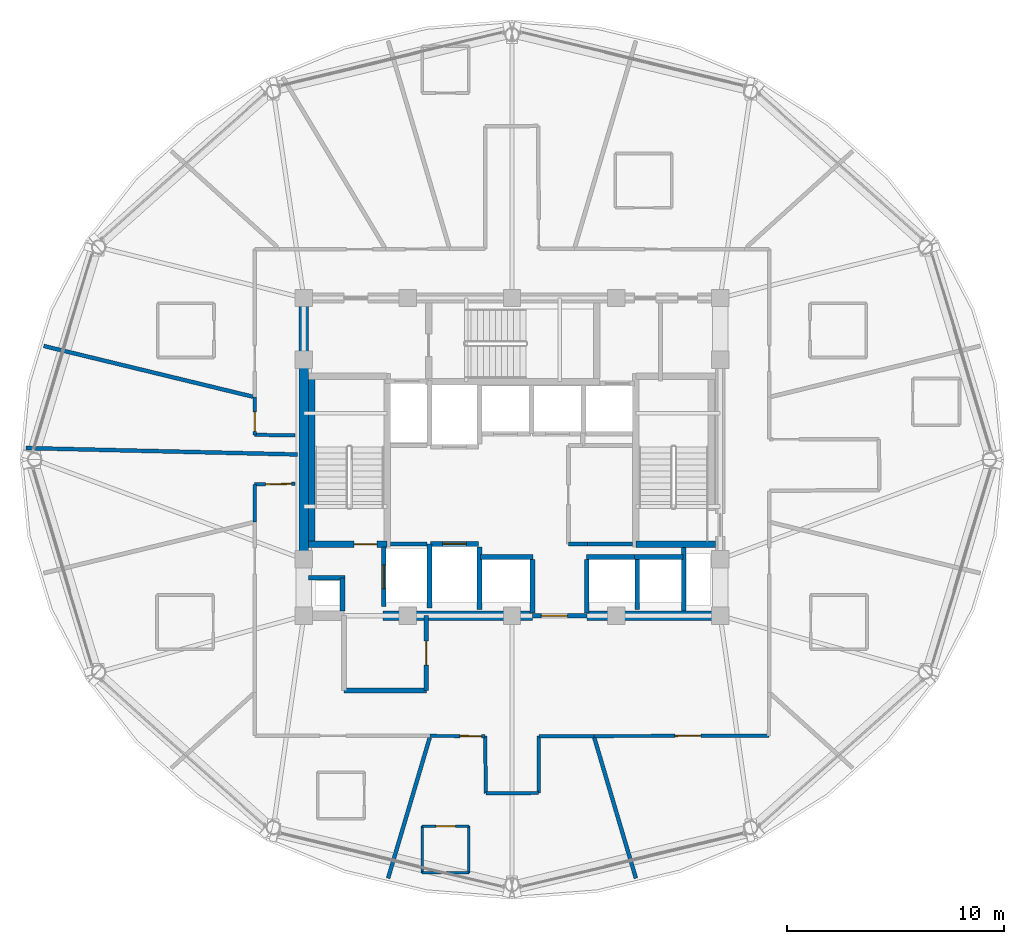
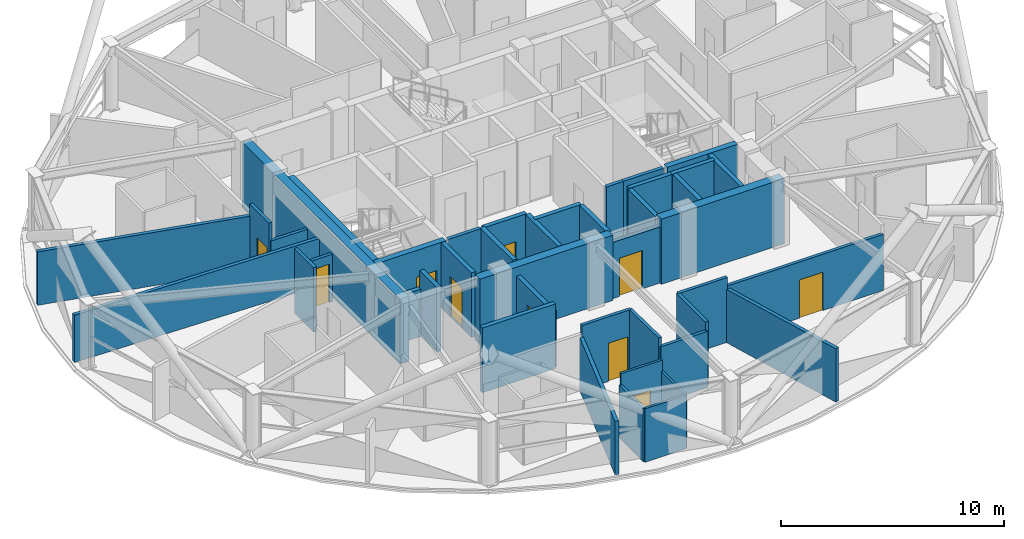
# One storey, part 22 of 29: 43 walls, 10 doors, 10 openings.
"""IFC4 building model written with IfcOpenShell, lengths in metres."""

from ifc_helpers import new_model, si_unit, direction, frame, frame_2d, origin, place, context, subcontext, project, spatial, rectangle, extrude, material, layer, layer_set, type_object, element, fill, save


model = new_model("IFC4")

# Units and contexts
model_context = context("Model", 3, precision=1e-05, world=origin(), true_north=direction((0.0, 1.0)))
body_context = subcontext(model_context, "Body", "Model", "MODEL_VIEW")
ifc_project = project(units=[si_unit("LENGTHUNIT", "METRE"), si_unit("AREAUNIT", "SQUARE_METRE"), si_unit("VOLUMEUNIT", "CUBIC_METRE"), si_unit("PLANEANGLEUNIT", "RADIAN"), si_unit("MASSUNIT", "GRAM", prefix="KILO")], contexts=[model_context])

# Site, building, storey
site_placement = place(None, origin())
site = spatial("IfcSite", under=ifc_project, at=site_placement, CompositionType="ELEMENT")
building_placement = place(site_placement, origin())
building = spatial("IfcBuilding", under=site, at=building_placement, Name="Vantalir Tower", CompositionType="ELEMENT")
storey_placement = place(building_placement, frame((0.0, 0.0, 219.89990234375)))
storey = spatial("IfcBuildingStorey", under=building, at=storey_placement, Name="L55", CompositionType="ELEMENT", Elevation=219.89990234375)

# Wall
ifc_material_1 = material(Name="Moisture-resistant en-suite partition", Category="gypsum")
ifc_layer_1 = layer(ifc_material_1, 0.125)
ifc_layer_set_1 = layer_set([ifc_layer_1], Name="Moisture-resistant en-suite partition")
wall_type_1 = type_object("IfcWallType", Name="WL-BATH-125", PredefinedType="PARTITIONING", material=ifc_layer_set_1)
wall_1_placement = place(storey_placement, frame((27.360107421875, 5.943115234375, 0.0), z_axis=(0.0, 0.0, 1.0), x_axis=(1.0, 0.0, 0.0)))
element("IfcWall", 1, at=wall_1_placement, inside=storey, type_object=wall_type_1, Name="L55 En-suite 11 South Wall", PredefinedType="PARTITIONING", context=body_context, shape_type="SweptSolid", body=[
    extrude(rectangle(XDim=2.14990234375, YDim=0.125, at=frame_2d((1.074951171875, 0.0))), origin(), (0.0, 0.0, 1.0), 2.925048828125),
])

# Wall, opening, door
wall_2_placement = place(storey_placement, frame((27.360107421875, 8.093017578125, 0.0), z_axis=(0.0, 0.0, 1.0), x_axis=(1.0, 0.0, 0.0)))
wall_2 = element("IfcWall", 2, at=wall_2_placement, inside=storey, type_object=wall_type_1, Name="L55 En-suite 11 North Wall", PredefinedType="PARTITIONING", context=body_context, shape_type="SweptSolid", body=[
    extrude(rectangle(XDim=2.14990234375, YDim=0.125, at=frame_2d((1.074951171875, 0.0))), origin(), (0.0, 0.0, 1.0), 3.550048828125),
])
opening_1_placement = place(wall_2_placement, frame((0.625, 0.0, 0.0)))
opening_1 = element("IfcOpeningElement", 3, at=opening_1_placement, cuts=wall_2, Name="Opening D-WC", PredefinedType="OPENING", context=body_context, shape_type="SweptSolid", body=[
    extrude(rectangle(XDim=0.89990234375, YDim=2.10009765625, at=frame_2d((0.449951171875, 1.050048828125))), frame((0.0, 0.072509765625, 0.0), z_axis=(0.0, -1.0, 0.0), x_axis=(1.0, 0.0, 0.0)), (0.0, 0.0, 1.0), 0.14501953125),
])
ifc_material_2 = material(Name="Moisture-resistant hardwood door", Category="wood")
door_type_1 = type_object("IfcDoorType", Name="DR-ENSUITE-900", OperationType="NOTDEFINED", PredefinedType="DOOR", material=ifc_material_2)
door_1_placement = place(opening_1_placement, frame((0.89990234375, 0.0, 0.0), z_axis=(0.0, 0.0, 1.0), x_axis=(-1.0, 0.0, 0.0)))
door_1 = element("IfcDoor", 4, at=door_1_placement, inside=storey, type_object=door_type_1, Name="L55 En-suite 11 Door", OperationType="SINGLE_SWING_LEFT", OverallHeight=2.10009765625, OverallWidth=0.89990234375, PredefinedType="DOOR", context=body_context, shape_type="SweptSolid", body=[
    extrude(rectangle(XDim=0.89990234375, YDim=2.10009765625, at=frame_2d((0.449951171875, 1.050048828125))), frame((0.0, 0.02490234375, 0.0), z_axis=(0.0, -1.0, 0.0), x_axis=(1.0, 0.0, 0.0)), (0.0, 0.0, 1.0), 0.050048828125),
])
fill(opening_1, door_1)

# Walls
for number, where, z_axis, x_axis, name in (
    (5, (27.360107421875, 5.943115234375, 0.0), (0.0, 0.0, 1.0), (0.0, 1.0, 0.0), "L55 En-suite 11 West Wall"),
    (6, (29.510009765625, 5.943115234375, 0.0), (0.0, 0.0, 1.0), (0.0, 1.0, 0.0), "L55 En-suite 11 East Wall"),
):
    element("IfcWall", number, at=place(storey_placement, frame(where, z_axis=z_axis, x_axis=x_axis)), inside=storey, type_object=wall_type_1, Name=name, PredefinedType="PARTITIONING", context=body_context, shape_type="SweptSolid", body=[
        extrude(rectangle(XDim=2.14990234375, YDim=0.125, at=frame_2d((1.074951171875, 0.0))), origin(), (0.0, 0.0, 1.0), 2.925048828125),
    ])
ifc_material_3 = material(Name="Concrete C50/60", Category="concrete")
ifc_layer_2 = layer(ifc_material_3, 0.449951171875)
ifc_layer_set_2 = layer_set([ifc_layer_2], Name="Concrete C50/60")
wall_type_2 = type_object("IfcWallType", Name="WL-CORE-450", PredefinedType="SHEAR", material=ifc_layer_set_2)
wall_3_placement = place(storey_placement, frame((25.550048828125, 17.800048828125, 0.0), z_axis=(0.0, 0.0, 1.0), x_axis=(1.0, 0.0, 0.0)))
element("IfcWall", 7, at=wall_3_placement, inside=storey, type_object=wall_type_2, Name="L55 Core Shear Wall South-Mid", PredefinedType="SHEAR", context=body_context, shape_type="SweptSolid", body=[
    extrude(rectangle(XDim=6.89990234375, YDim=0.449951171875, at=frame_2d((3.449951171875, 0.0))), origin(), (0.0, 0.0, 1.0), 3.570068359375),
])
wall_4_placement = place(storey_placement, frame((34.949951171875, 17.800048828125, 0.0), z_axis=(0.0, 0.0, 1.0), x_axis=(1.0, 0.0, 0.0)))
element("IfcWall", 8, at=wall_4_placement, inside=storey, type_object=wall_type_2, Name="L55 Core Shear Wall South-East", PredefinedType="SHEAR", context=body_context, shape_type="SweptSolid", body=[
    extrude(rectangle(XDim=6.375, YDim=0.449951171875, at=frame_2d((3.1875, 0.0))), origin(), (0.0, 0.0, 1.0), 3.570068359375),
])
wall_5_placement = place(storey_placement, frame((21.89990234375, 18.02490234375, 0.0), z_axis=(0.0, 0.0, 1.0), x_axis=(0.0, 1.0, 0.0)))
element("IfcWall", 9, at=wall_5_placement, inside=storey, type_object=wall_type_2, Name="L55 Core Shear Wall West", PredefinedType="SHEAR", context=body_context, shape_type="SweptSolid", body=[
    extrude(rectangle(XDim=14.2001953125, YDim=0.449951171875, at=frame_2d((7.10009765625, 0.0))), origin(), (0.0, 0.0, 1.0), 3.570068359375),
])
ifc_material_4 = material(Name="Fire-rated hotel corridor acoustic partition", Category="gypsum")
ifc_layer_3 = layer(ifc_material_4, 0.159912109375)
ifc_layer_set_3 = layer_set([ifc_layer_3], Name="Fire-rated hotel corridor acoustic partition")
wall_type_3 = type_object("IfcWallType", Name="WL-CORR-160", PredefinedType="PARTITIONING", material=ifc_layer_set_3)
wall_6_placement = place(storey_placement, frame((21.4951171875, 26.116943359375, 0.0), z_axis=(0.0, 0.0, 1.0), x_axis=(-0.999908537082, 0.013524698532, 0.0)))
element("IfcWall", 10, at=wall_6_placement, inside=storey, type_object=wall_type_3, Name="L55 Corridor Partition 01", PredefinedType="PARTITIONING", context=body_context, shape_type="SweptSolid", body=[
    extrude(rectangle(XDim=1.859375, YDim=0.159912109375, at=frame_2d((0.9296875, 0.0))), origin(), (0.0, 0.0, 1.0), 2.59521484375),
])

# Wall, opening, door
wall_7_placement = place(storey_placement, frame((19.635986328125, 26.14208984375, 0.0), z_axis=(0.0, 0.0, 1.0), x_axis=(0.000562587815, 0.999999841747, 0.0)))
wall_7 = element("IfcWall", 11, at=wall_7_placement, inside=storey, type_object=wall_type_3, Name="L55 Corridor Partition 02", PredefinedType="PARTITIONING", context=body_context, shape_type="SweptSolid", body=[
    extrude(rectangle(XDim=1.73583984375, YDim=0.159912109375, at=frame_2d((0.867919921875, 0.0))), origin(), (0.0, 0.0, 1.0), 3.550048828125),
])
opening_2_placement = place(wall_7_placement, frame((0.159912109375, 0.0, 0.0)))
opening_2 = element("IfcOpeningElement", 12, at=opening_2_placement, cuts=wall_7, Name="Opening D-WC", PredefinedType="OPENING", context=body_context, shape_type="SweptSolid", body=[
    extrude(rectangle(XDim=0.89990234375, YDim=2.10009765625, at=frame_2d((0.449951171875, 1.050048828125))), frame((0.0, 0.08984375, 0.0), z_axis=(0.0, -1.0, 0.0), x_axis=(1.0, 0.0, 0.0)), (0.0, 0.0, 1.0), 0.179931640625),
])
door_2_placement = place(opening_2_placement, origin())
door_2 = element("IfcDoor", 13, at=door_2_placement, inside=storey, type_object=door_type_1, Name="L55 Executive Business Study 07 Door", OperationType="SINGLE_SWING_LEFT", OverallHeight=2.10009765625, OverallWidth=0.89990234375, PredefinedType="DOOR", context=body_context, shape_type="SweptSolid", body=[
    extrude(rectangle(XDim=0.89990234375, YDim=2.10009765625, at=frame_2d((0.449951171875, 1.050048828125))), frame((0.0, 0.02490234375, 0.0), z_axis=(0.0, -1.0, 0.0), x_axis=(1.0, 0.0, 0.0)), (0.0, 0.0, 1.0), 0.050048828125),
])
fill(opening_2, door_2)

wall_8_placement = place(storey_placement, frame((43.35009765625, 12.259033203125, 0.0), z_axis=(0.0, 0.0, 1.0), x_axis=(-0.999999615917, -0.00087645034, 0.0)))
wall_8 = element("IfcWall", 14, at=wall_8_placement, inside=storey, type_object=wall_type_3, Name="L55 Corridor Partition 22", PredefinedType="PARTITIONING", context=body_context, shape_type="SweptSolid", body=[
    extrude(rectangle(XDim=8.078125, YDim=0.159912109375, at=frame_2d((4.0390625, 0.0))), origin(), (0.0, 0.0, 1.0), 3.0810546875),
])
opening_3_placement = place(wall_8_placement, frame((3.14111328125, 0.0, 0.0)))
opening_3 = element("IfcOpeningElement", 15, at=opening_3_placement, cuts=wall_8, Name="Opening D-STE", PredefinedType="OPENING", context=body_context, shape_type="SweptSolid", body=[
    extrude(rectangle(XDim=1.199951171875, YDim=2.10009765625, at=frame_2d((0.60009765625, 1.050048828125))), frame((0.0, 0.08984375, 0.0), z_axis=(0.0, -1.0, 0.0), x_axis=(1.0, 0.0, 0.0)), (0.0, 0.0, 1.0), 0.179931640625),
])
ifc_material_5 = material(Name="Solid-core teak veneer suite entrance door", Category="wood")
door_type_2 = type_object("IfcDoorType", Name="DR-SUITE-ENTRY-1200", OperationType="NOTDEFINED", PredefinedType="DOOR", material=ifc_material_5)
door_3_placement = place(opening_3_placement, origin())
door_3 = element("IfcDoor", 16, at=door_3_placement, inside=storey, type_object=door_type_2, Name="L55 Club Reading Lounge 12 Door", OperationType="SINGLE_SWING_RIGHT", OverallHeight=2.10009765625, OverallWidth=1.199951171875, PredefinedType="DOOR", context=body_context, shape_type="SweptSolid", body=[
    extrude(rectangle(XDim=1.199951171875, YDim=2.10009765625, at=frame_2d((0.60009765625, 1.050048828125))), frame((0.0, 0.02490234375, 0.0), z_axis=(0.0, -1.0, 0.0), x_axis=(1.0, 0.0, 0.0)), (0.0, 0.0, 1.0), 0.050048828125),
])
fill(opening_3, door_3)

# Walls
wall_9_placement = place(storey_placement, frame((35.27197265625, 12.251953125, 0.0), z_axis=(0.0, 0.0, 1.0), x_axis=(-0.999999702485, -0.000771381508, 0.0)))
element("IfcWall", 17, at=wall_9_placement, inside=storey, type_object=wall_type_3, Name="L55 Corridor Partition 23", PredefinedType="PARTITIONING", context=body_context, shape_type="SweptSolid", body=[
    extrude(rectangle(XDim=2.531982421875, YDim=0.159912109375, at=frame_2d((1.26611328125, 0.0))), origin(), (0.0, 0.0, 1.0), 3.550048828125),
])
wall_10_placement = place(storey_placement, frame((32.739990234375, 12.25, 0.0), z_axis=(0.0, 0.0, 1.0), x_axis=(-0.004558940342, -0.999989607977, 0.0)))
element("IfcWall", 18, at=wall_10_placement, inside=storey, type_object=wall_type_3, Name="L55 Corridor Partition 24", PredefinedType="PARTITIONING", context=body_context, shape_type="SweptSolid", body=[
    extrude(rectangle(XDim=2.6240234375, YDim=0.159912109375, at=frame_2d((1.31201171875, 0.0))), origin(), (0.0, 0.0, 1.0), 3.550048828125),
])
wall_11_placement = place(storey_placement, frame((32.72802734375, 9.6259765625, 0.0), z_axis=(0.0, 0.0, 1.0), x_axis=(-0.999987903459, -0.004918631527, 0.0)))
element("IfcWall", 19, at=wall_11_placement, inside=storey, type_object=wall_type_3, Name="L55 Corridor Partition 25", PredefinedType="PARTITIONING", context=body_context, shape_type="SweptSolid", body=[
    extrude(rectangle(XDim=2.43212890625, YDim=0.159912109375, at=frame_2d((1.216064453125, 0.0))), origin(), (0.0, 0.0, 1.0), 3.0810546875),
])
wall_12_placement = place(storey_placement, frame((30.2958984375, 9.614013671875, 0.0), z_axis=(0.0, 0.0, 1.0), x_axis=(-0.013613631337, 0.999907330227, 0.0)))
element("IfcWall", 20, at=wall_12_placement, inside=storey, type_object=wall_type_3, Name="L55 Corridor Partition 26", PredefinedType="PARTITIONING", context=body_context, shape_type="SweptSolid", body=[
    extrude(rectangle(XDim=2.63623046875, YDim=0.159912109375, at=frame_2d((1.318115234375, 0.0))), origin(), (0.0, 0.0, 1.0), 3.550048828125),
])

# Wall, opening, door
wall_13_placement = place(storey_placement, frame((30.260009765625, 12.25, 0.0), z_axis=(0.0, 0.0, 1.0), x_axis=(-0.999998140537, 0.001928450758, 0.0)))
wall_13 = element("IfcWall", 21, at=wall_13_placement, inside=storey, type_object=wall_type_3, Name="L55 Corridor Partition 27", PredefinedType="PARTITIONING", context=body_context, shape_type="SweptSolid", body=[
    extrude(rectangle(XDim=2.531982421875, YDim=0.159912109375, at=frame_2d((1.26611328125, 0.0))), origin(), (0.0, 0.0, 1.0), 3.550048828125),
])
opening_4_placement = place(wall_13_placement, frame((0.159912109375, 0.0, 0.0)))
opening_4 = element("IfcOpeningElement", 22, at=opening_4_placement, cuts=wall_13, Name="Opening D-GUEST", PredefinedType="OPENING", context=body_context, shape_type="SweptSolid", body=[
    extrude(rectangle(XDim=1.0, YDim=2.10009765625, at=frame_2d((0.5, 1.050048828125))), frame((0.0, 0.08984375, 0.0), z_axis=(0.0, -1.0, 0.0), x_axis=(1.0, 0.0, 0.0)), (0.0, 0.0, 1.0), 0.179931640625),
])
ifc_material_6 = material(Name="Solid-core teak veneer acoustic fire door", Category="wood")
door_type_3 = type_object("IfcDoorType", Name="DR-GUEST-ENTRY-1000", OperationType="NOTDEFINED", PredefinedType="DOOR", material=ifc_material_6)
door_4_placement = place(opening_4_placement, origin())
door_4 = element("IfcDoor", 23, at=door_4_placement, inside=storey, type_object=door_type_3, Name="L55 Twin Queen Hotel Room 11 Door", OperationType="SINGLE_SWING_LEFT", OverallHeight=2.10009765625, OverallWidth=1.0, PredefinedType="DOOR", context=body_context, shape_type="SweptSolid", body=[
    extrude(rectangle(XDim=1.0, YDim=2.10009765625, at=frame_2d((0.5, 1.050048828125))), frame((0.0, 0.02490234375, 0.0), z_axis=(0.0, -1.0, 0.0), x_axis=(1.0, 0.0, 0.0)), (0.0, 0.0, 1.0), 0.050048828125),
])
fill(opening_4, door_4)

# Wall
wall_14_placement = place(storey_placement, frame((19.635986328125, 22.12109375, 0.0), z_axis=(0.0, 0.0, 1.0), x_axis=(-0.000563538936, 0.999999841212, 0.0)))
element("IfcWall", 24, at=wall_14_placement, inside=storey, type_object=wall_type_3, Name="L55 Corridor Partition 31", PredefinedType="PARTITIONING", context=body_context, shape_type="SweptSolid", body=[
    extrude(rectangle(XDim=1.73291015625, YDim=0.159912109375, at=frame_2d((0.866455078125, 0.0))), origin(), (0.0, 0.0, 1.0), 3.550048828125),
])

# Wall, opening, door
wall_15_placement = place(storey_placement, frame((19.635009765625, 23.85400390625, 0.0), z_axis=(0.0, 0.0, 1.0), x_axis=(0.999886107392, 0.015092125259, 0.0)))
wall_15 = element("IfcWall", 25, at=wall_15_placement, inside=storey, type_object=wall_type_3, Name="L55 Corridor Partition 32", PredefinedType="PARTITIONING", context=body_context, shape_type="SweptSolid", body=[
    extrude(rectangle(XDim=1.8603515625, YDim=0.159912109375, at=frame_2d((0.93017578125, 0.0))), origin(), (0.0, 0.0, 1.0), 2.59521484375),
])
opening_5_placement = place(wall_15_placement, frame((0.5, 0.0, 0.0)))
opening_5 = element("IfcOpeningElement", 26, at=opening_5_placement, cuts=wall_15, Name="Opening D-STE", PredefinedType="OPENING", context=body_context, shape_type="SweptSolid", body=[
    extrude(rectangle(XDim=1.199951171875, YDim=2.10009765625, at=frame_2d((0.60009765625, 1.050048828125))), frame((0.0, 0.08984375, 0.0), z_axis=(0.0, -1.0, 0.0), x_axis=(1.0, 0.0, 0.0)), (0.0, 0.0, 1.0), 0.179931640625),
])
door_5_placement = place(opening_5_placement, origin())
door_5 = element("IfcDoor", 27, at=door_5_placement, inside=storey, type_object=door_type_2, Name="L55 Club Reading Lounge 08 Door", OperationType="SINGLE_SWING_RIGHT", OverallHeight=2.10009765625, OverallWidth=1.199951171875, PredefinedType="DOOR", context=body_context, shape_type="SweptSolid", body=[
    extrude(rectangle(XDim=1.199951171875, YDim=2.10009765625, at=frame_2d((0.60009765625, 1.050048828125))), frame((0.0, 0.02490234375, 0.0), z_axis=(0.0, -1.0, 0.0), x_axis=(1.0, 0.0, 0.0)), (0.0, 0.0, 1.0), 0.050048828125),
])
fill(opening_5, door_5)

# Walls
ifc_material_7 = material(Name="Concrete blockwork with fireboard lining", Category="masonry")
ifc_layer_4 = layer(ifc_material_7, 0.219970703125)
ifc_layer_set_4 = layer_set([ifc_layer_4], Name="Concrete blockwork with fireboard lining")
wall_type_4 = type_object("IfcWallType", Name="WL-FFL-220", PredefinedType="PARTITIONING", material=ifc_layer_set_4)
wall_16_placement = place(storey_placement, frame((30.0, 18.080078125, 0.0), z_axis=(0.0, 0.0, 1.0), x_axis=(0.0, 1.0, 0.0)))
element("IfcWall", 28, at=wall_16_placement, inside=storey, type_object=wall_type_4, Name="L55 Service Lift SV1 East Shaft Wall", PredefinedType="PARTITIONING", context=body_context, shape_type="SweptSolid", body=[
    extrude(rectangle(XDim=2.89990234375, YDim=0.219970703125, at=frame_2d((1.449951171875, 0.0))), origin(), (0.0, 0.0, 1.0), 3.545166015625),
])
for number, where, z_axis, x_axis, name in (
    (29, (32.449951171875, 17.919921875, 0.0), (0.0, 0.0, 1.0), (0.0, 1.0, 0.0), "L55 Shuttle Lift PL-X1 East Shaft Cheek"),
    (30, (34.949951171875, 17.919921875, 0.0), (0.0, 0.0, 1.0), (0.0, 1.0, 0.0), "L55 Shuttle Lift PL-X3 West Shaft Cheek"),
):
    element("IfcWall", number, at=place(storey_placement, frame(where, z_axis=z_axis, x_axis=x_axis)), inside=storey, type_object=wall_type_4, Name=name, PredefinedType="PARTITIONING", context=body_context, shape_type="SweptSolid", body=[
        extrude(rectangle(XDim=2.469970703125, YDim=0.219970703125, at=frame_2d((1.23486328125, 0.0))), origin(), (0.0, 0.0, 1.0), 3.545166015625),
    ])
wall_17_placement = place(storey_placement, frame((37.27490234375, 18.080078125, 0.0), z_axis=(0.0, 0.0, 1.0), x_axis=(0.0, 1.0, 0.0)))
element("IfcWall", 31, at=wall_17_placement, inside=storey, type_object=wall_type_4, Name="L55 Shuttle Lift PL-X2/X3 Shaft Divider", PredefinedType="PARTITIONING", context=body_context, shape_type="SweptSolid", body=[
    extrude(rectangle(XDim=2.309814453125, YDim=0.219970703125, at=frame_2d((1.15478515625, 0.0))), origin(), (0.0, 0.0, 1.0), 3.545166015625),
])

# Wall, opening, door
wall_18_placement = place(storey_placement, frame((32.449951171875, 17.800048828125, 0.0), z_axis=(0.0, 0.0, 1.0), x_axis=(1.0, 0.0, 0.0)))
wall_18 = element("IfcWall", 32, at=wall_18_placement, inside=storey, type_object=wall_type_4, Name="L55 Passenger Lift Lobby South Wall", PredefinedType="PARTITIONING", context=body_context, shape_type="SweptSolid", body=[
    extrude(rectangle(XDim=2.5, YDim=0.219970703125, at=frame_2d((1.25, 0.0))), origin(), (0.0, 0.0, 1.0), 3.0810546875),
])
opening_6_placement = place(wall_18_placement, frame((0.39990234375, 0.0, 0.0)))
opening_6 = element("IfcOpeningElement", 33, at=opening_6_placement, cuts=wall_18, Name="Opening D-STE", PredefinedType="OPENING", context=body_context, shape_type="SweptSolid", body=[
    extrude(rectangle(XDim=1.199951171875, YDim=2.10009765625, at=frame_2d((0.60009765625, 1.050048828125))), frame((0.0, 0.119873046875, 0.0), z_axis=(0.0, -1.0, 0.0), x_axis=(1.0, 0.0, 0.0)), (0.0, 0.0, 1.0), 0.239990234375),
])
door_6_placement = place(opening_6_placement, origin())
door_6 = element("IfcDoor", 34, at=door_6_placement, inside=storey, type_object=door_type_2, Name="L55 Passenger Lift Lobby Concourse Door", OperationType="SINGLE_SWING_RIGHT", OverallHeight=2.10009765625, OverallWidth=1.199951171875, PredefinedType="DOOR", context=body_context, shape_type="SweptSolid", body=[
    extrude(rectangle(XDim=1.199951171875, YDim=2.10009765625, at=frame_2d((0.60009765625, 1.050048828125))), frame((0.0, 0.02490234375, 0.0), z_axis=(0.0, -1.0, 0.0), x_axis=(1.0, 0.0, 0.0)), (0.0, 0.0, 1.0), 0.050048828125),
])
fill(opening_6, door_6)

# Walls
wall_19_placement = place(storey_placement, frame((23.679931640625, 18.02490234375, 0.0), z_axis=(0.0, 0.0, 1.0), x_axis=(0.0, 1.0, 0.0)))
element("IfcWall", 35, at=wall_19_placement, inside=storey, type_object=wall_type_4, Name="L55 West MEP Riser Wall E", PredefinedType="PARTITIONING", context=body_context, shape_type="SweptSolid", body=[
    extrude(rectangle(XDim=1.525146484375, YDim=0.219970703125, at=frame_2d((0.7626953125, 0.0))), origin(), (0.0, 0.0, 1.0), 3.550048828125),
])
wall_20_placement = place(storey_placement, frame((22.125, 19.550048828125, 0.0), z_axis=(0.0, 0.0, 1.0), x_axis=(1.0, 0.0, 0.0)))
element("IfcWall", 36, at=wall_20_placement, inside=storey, type_object=wall_type_4, Name="L55 West MEP Riser Wall N", PredefinedType="PARTITIONING", context=body_context, shape_type="SweptSolid", body=[
    extrude(rectangle(XDim=1.6650390625, YDim=0.219970703125, at=frame_2d((0.83251953125, 0.0))), origin(), (0.0, 0.0, 1.0), 2.59521484375),
])
wall_21_placement = place(storey_placement, frame((39.419921875, 18.02490234375, 0.0), z_axis=(0.0, 0.0, 1.0), x_axis=(0.0, 1.0, 0.0)))
element("IfcWall", 37, at=wall_21_placement, inside=storey, type_object=wall_type_4, Name="L55 East MEP Riser Wall W", PredefinedType="PARTITIONING", context=body_context, shape_type="SweptSolid", body=[
    extrude(rectangle(XDim=2.925048828125, YDim=0.219970703125, at=frame_2d((1.46240234375, 0.0))), origin(), (0.0, 0.0, 1.0), 3.550048828125),
])

# Wall, opening, door
wall_22_placement = place(storey_placement, frame((25.590087890625, 18.219970703125, 0.0), z_axis=(0.0, 0.0, 1.0), x_axis=(0.0, 1.0, 0.0)))
wall_22 = element("IfcWall", 38, at=wall_22_placement, inside=storey, type_object=wall_type_4, Name="L55 Lift FL1 Shaft Front Wall", PredefinedType="PARTITIONING", context=body_context, shape_type="SweptSolid", body=[
    extrude(rectangle(XDim=2.760009765625, YDim=0.219970703125, at=frame_2d((1.3798828125, 0.0))), origin(), (0.0, 0.0, 1.0), 3.550048828125),
])
opening_7_placement = place(wall_22_placement, frame((0.830078125, 0.0, 0.0)))
opening_7 = element("IfcOpeningElement", 39, at=opening_7_placement, cuts=wall_22, Name="Opening LD-FL1", PredefinedType="OPENING", context=body_context, shape_type="SweptSolid", body=[
    extrude(rectangle(XDim=1.10009765625, YDim=2.199951171875, at=frame_2d((0.550048828125, 1.10009765625))), frame((0.0, 0.119873046875, 0.0), z_axis=(0.0, -1.0, 0.0), x_axis=(1.0, 0.0, 0.0)), (0.0, 0.0, 1.0), 0.239990234375),
])
ifc_material_8 = material(Name="Brushed stainless-steel sliding lift landing door", Category="steel")
door_type_4 = type_object("IfcDoorType", Name="DR-LIFT-LANDING-1100", OperationType="DOUBLE_DOOR_SLIDING", PredefinedType="DOOR", material=ifc_material_8)
door_7_placement = place(opening_7_placement, origin())
door_7 = element("IfcDoor", 40, at=door_7_placement, inside=storey, type_object=door_type_4, Name="L55 Lift Landing Door FL1", OperationType="DOUBLE_DOOR_SLIDING", OverallHeight=2.199951171875, OverallWidth=1.10009765625, PredefinedType="DOOR", context=body_context, shape_type="SweptSolid", body=[
    extrude(rectangle(XDim=1.10009765625, YDim=2.199951171875, at=frame_2d((0.550048828125, 1.10009765625))), frame((0.0, 0.02490234375, 0.0), z_axis=(0.0, -1.0, 0.0), x_axis=(1.0, 0.0, 0.0)), (0.0, 0.0, 1.0), 0.050048828125),
])
fill(opening_7, door_7)

wall_23_placement = place(storey_placement, frame((27.739990234375, 21.110107421875, 0.0), z_axis=(0.0, 0.0, 1.0), x_axis=(1.0, 0.0, 0.0)))
wall_23 = element("IfcWall", 41, at=wall_23_placement, inside=storey, type_object=wall_type_4, Name="L55 Lift SV1 Shaft Front Wall", PredefinedType="PARTITIONING", context=body_context, shape_type="SweptSolid", body=[
    extrude(rectangle(XDim=2.219970703125, YDim=0.219970703125, at=frame_2d((1.10986328125, 0.0))), origin(), (0.0, 0.0, 1.0), 3.550048828125),
])
opening_8_placement = place(wall_23_placement, frame((0.56005859375, 0.0, 0.0)))
opening_8 = element("IfcOpeningElement", 42, at=opening_8_placement, cuts=wall_23, Name="Opening LD-SV1", PredefinedType="OPENING", context=body_context, shape_type="SweptSolid", body=[
    extrude(rectangle(XDim=1.10009765625, YDim=2.199951171875, at=frame_2d((0.550048828125, 1.10009765625))), frame((0.0, 0.119873046875, 0.0), z_axis=(0.0, -1.0, 0.0), x_axis=(1.0, 0.0, 0.0)), (0.0, 0.0, 1.0), 0.239990234375),
])
door_8_placement = place(opening_8_placement, origin())
door_8 = element("IfcDoor", 43, at=door_8_placement, inside=storey, type_object=door_type_4, Name="L55 Lift Landing Door SV1", OperationType="DOUBLE_DOOR_SLIDING", OverallHeight=2.199951171875, OverallWidth=1.10009765625, PredefinedType="DOOR", context=body_context, shape_type="SweptSolid", body=[
    extrude(rectangle(XDim=1.10009765625, YDim=2.199951171875, at=frame_2d((0.550048828125, 1.10009765625))), frame((0.0, 0.02490234375, 0.0), z_axis=(0.0, -1.0, 0.0), x_axis=(1.0, 0.0, 0.0)), (0.0, 0.0, 1.0), 0.050048828125),
])
fill(opening_8, door_8)

# Walls
wall_24_placement = place(storey_placement, frame((30.0400390625, 20.510009765625, 0.0), z_axis=(0.0, 0.0, 1.0), x_axis=(1.0, 0.0, 0.0)))
element("IfcWall", 44, at=wall_24_placement, inside=storey, type_object=wall_type_4, Name="L55 Lift PL-X1 Shaft Front Wall", PredefinedType="PARTITIONING", context=body_context, shape_type="SweptSolid", body=[
    extrude(rectangle(XDim=2.419921875, YDim=0.219970703125, at=frame_2d((1.2099609375, 0.0))), origin(), (0.0, 0.0, 1.0), 3.550048828125),
])
for number, where, z_axis, x_axis, name in (
    (45, (37.139892578125, 20.510009765625, 0.0), (0.0, 0.0, 1.0), (1.0, 0.0, 0.0), "L55 Lift PL-X2 Shaft Rear Wall"),
    (46, (34.93994140625, 20.510009765625, 0.0), (0.0, 0.0, 1.0), (1.0, 0.0, 0.0), "L55 Lift PL-X3 Shaft Front Wall"),
):
    element("IfcWall", number, at=place(storey_placement, frame(where, z_axis=z_axis, x_axis=x_axis)), inside=storey, type_object=wall_type_4, Name=name, PredefinedType="PARTITIONING", context=body_context, shape_type="SweptSolid", body=[
        extrude(rectangle(XDim=2.239990234375, YDim=0.219970703125, at=frame_2d((1.1201171875, 0.0))), origin(), (0.0, 0.0, 1.0), 3.550048828125),
    ])
wall_25_placement = place(storey_placement, frame((27.699951171875, 18.14990234375, 0.0), z_axis=(0.0, 0.0, 1.0), x_axis=(0.0, 1.0, 0.0)))
element("IfcWall", 47, at=wall_25_placement, inside=storey, type_object=wall_type_4, Name="L55 Fire Lift FL1 Dividing Wall", PredefinedType="PARTITIONING", context=body_context, shape_type="SweptSolid", body=[
    extrude(rectangle(XDim=2.9501953125, YDim=0.219970703125, at=frame_2d((1.47509765625, 0.0))), origin(), (0.0, 0.0, 1.0), 3.550048828125),
])
wall_26_placement = place(storey_placement, frame((23.75, 14.35009765625, 0.0), z_axis=(0.0, 0.0, 1.0), x_axis=(1.0, 0.0, 0.0)))
element("IfcWall", 48, at=wall_26_placement, inside=storey, type_object=wall_type_4, Name="L55 Firefighting Lobby West South Wall", PredefinedType="PARTITIONING", context=body_context, shape_type="SweptSolid", body=[
    extrude(rectangle(XDim=3.800048828125, YDim=0.219970703125, at=frame_2d((1.89990234375, 0.0))), origin(), (0.0, 0.0, 1.0), 3.550048828125),
])

# Wall, opening, door
wall_27_placement = place(storey_placement, frame((27.550048828125, 14.35009765625, 0.0), z_axis=(0.0, 0.0, 1.0), x_axis=(0.0, 1.0, 0.0)))
wall_27 = element("IfcWall", 49, at=wall_27_placement, inside=storey, type_object=wall_type_4, Name="L55 Firefighting Lobby West East Wall", PredefinedType="PARTITIONING", context=body_context, shape_type="SweptSolid", body=[
    extrude(rectangle(XDim=3.449951171875, YDim=0.219970703125, at=frame_2d((1.72509765625, 0.0))), origin(), (0.0, 0.0, 1.0), 3.0810546875),
])
opening_9_placement = place(wall_27_placement, frame((1.175048828125, 0.0, 0.0)))
opening_9 = element("IfcOpeningElement", 50, at=opening_9_placement, cuts=wall_27, Name="Opening D-FFL", PredefinedType="OPENING", context=body_context, shape_type="SweptSolid", body=[
    extrude(rectangle(XDim=1.10009765625, YDim=2.10009765625, at=frame_2d((0.550048828125, 1.050048828125))), frame((0.0, 0.119873046875, 0.0), z_axis=(0.0, -1.0, 0.0), x_axis=(1.0, 0.0, 0.0)), (0.0, 0.0, 1.0), 0.239990234375),
])
ifc_material_9 = material(Name="Fire-rated acoustic steel door", Category="steel")
door_type_5 = type_object("IfcDoorType", Name="DR-FIRE-LOBBY-1100", OperationType="NOTDEFINED", PredefinedType="DOOR", material=ifc_material_9)
door_9_placement = place(opening_9_placement, origin())
door_9 = element("IfcDoor", 51, at=door_9_placement, inside=storey, type_object=door_type_5, Name="L55 Firefighting Lobby West Access Door", OperationType="SINGLE_SWING_RIGHT", OverallHeight=2.10009765625, OverallWidth=1.10009765625, PredefinedType="DOOR", context=body_context, shape_type="SweptSolid", body=[
    extrude(rectangle(XDim=1.10009765625, YDim=2.10009765625, at=frame_2d((0.550048828125, 1.050048828125))), frame((0.0, 0.02490234375, 0.0), z_axis=(0.0, -1.0, 0.0), x_axis=(1.0, 0.0, 0.0)), (0.0, 0.0, 1.0), 0.050048828125),
])
fill(opening_9, door_9)

# Walls
ifc_material_10 = material(Name="Twin-stud acoustic fire-rated gypsum partition", Category="gypsum")
ifc_layer_5 = layer(ifc_material_10, 0.179931640625)
ifc_layer_set_5 = layer_set([ifc_layer_5], Name="Twin-stud acoustic fire-rated gypsum partition")
wall_type_5 = type_object("IfcWallType", Name="WL-GUEST-180", PredefinedType="PARTITIONING", material=ifc_layer_set_5)
wall_28_placement = place(storey_placement, frame((25.889892578125, 21.10009765625, 0.0), z_axis=(0.0, 0.0, 1.0), x_axis=(1.0, 0.0, 0.0)))
element("IfcWall", 52, at=wall_28_placement, inside=storey, type_object=wall_type_5, Name="L55 Freed West Core South Wall", PredefinedType="PARTITIONING", context=body_context, shape_type="SweptSolid", body=[
    extrude(rectangle(XDim=1.7001953125, YDim=0.179931640625, at=frame_2d((0.85009765625, 0.0))), origin(), (0.0, 0.0, 1.0), 3.550048828125),
])
wall_29_placement = place(storey_placement, frame((34.97998046875, 21.10009765625, 0.0), z_axis=(0.0, 0.0, 1.0), x_axis=(1.0, 0.0, 0.0)))
element("IfcWall", 53, at=wall_29_placement, inside=storey, type_object=wall_type_5, Name="L55 Freed East Core South Wall", PredefinedType="PARTITIONING", context=body_context, shape_type="SweptSolid", body=[
    extrude(rectangle(XDim=2.080078125, YDim=0.179931640625, at=frame_2d((1.0400390625, 0.0))), origin(), (0.0, 0.0, 1.0), 3.550048828125),
])
wall_30_placement = place(storey_placement, frame((34.10009765625, 21.10009765625, 0.0), z_axis=(0.0, 0.0, 1.0), x_axis=(1.0, 0.0, 0.0)))
element("IfcWall", 54, at=wall_30_placement, inside=storey, type_object=wall_type_5, Name="L55 East Core Room South Return", PredefinedType="PARTITIONING", context=body_context, shape_type="SweptSolid", body=[
    extrude(rectangle(XDim=0.8798828125, YDim=0.179931640625, at=frame_2d((0.43994140625, 0.0))), origin(), (0.0, 0.0, 1.0), 3.550048828125),
])
wall_31_placement = place(storey_placement, frame((19.56005859375, 27.89697265625, 0.0), z_axis=(0.0, 0.0, 1.0), x_axis=(-0.97180626126, 0.235780810447, 0.0)))
element("IfcWall", 55, at=wall_31_placement, inside=storey, type_object=wall_type_5, Name="L55 Radial Suite Partition 07", PredefinedType="PARTITIONING", context=body_context, shape_type="SweptSolid", body=[
    extrude(rectangle(XDim=9.93310546875, YDim=0.179931640625, at=frame_2d((4.966552734375, 0.0))), origin(), (0.0, 0.0, 1.0), 2.925048828125),
])
wall_32_placement = place(storey_placement, frame((21.60009765625, 25.235107421875, 0.0), z_axis=(0.0, 0.0, 1.0), x_axis=(-0.999720386672, 0.023646320498, 0.0)))
element("IfcWall", 56, at=wall_32_placement, inside=storey, type_object=wall_type_5, Name="L55 Radial Suite Partition 08", PredefinedType="PARTITIONING", context=body_context, shape_type="SweptSolid", body=[
    extrude(rectangle(XDim=12.513427734375, YDim=0.179931640625, at=frame_2d((6.2568359375, 0.0))), origin(), (0.0, 0.0, 1.0), 2.59521484375),
])
for number, where, z_axis, x_axis, name in (
    (57, (27.705078125, 12.175048828125, 0.0), (0.0, 0.0, 1.0), (-0.283851041294, -0.958868388444, 0.0), "L55 Radial Suite Partition 11"),
    (58, (35.294921875, 12.175048828125, 0.0), (0.0, 0.0, 1.0), (0.283851041294, -0.958868388444, 0.0), "L55 Radial Suite Partition 12"),
):
    element("IfcWall", number, at=place(storey_placement, frame(where, z_axis=z_axis, x_axis=x_axis)), inside=storey, type_object=wall_type_5, Name=name, PredefinedType="PARTITIONING", context=body_context, shape_type="SweptSolid", body=[
        extrude(rectangle(XDim=6.76123046875, YDim=0.179931640625, at=frame_2d((3.380615234375, 0.0))), origin(), (0.0, 0.0, 1.0), 2.925048828125),
    ])

# Wall, opening, door
ifc_layer_6 = layer(ifc_material_3, 0.300048828125)
ifc_layer_set_6 = layer_set([ifc_layer_6], Name="Concrete C50/60")
wall_type_6 = type_object("IfcWallType", Name="WL-STAIR-300", PredefinedType="SHEAR", material=ifc_layer_set_6)
wall_33_placement = place(storey_placement, frame((22.125, 21.10009765625, 0.0), z_axis=(0.0, 0.0, 1.0), x_axis=(1.0, 0.0, 0.0)))
wall_33 = element("IfcWall", 59, at=wall_33_placement, inside=storey, type_object=wall_type_6, Name="L55 Stair ST1 South Wall", PredefinedType="SHEAR", context=body_context, shape_type="SweptSolid", body=[
    extrude(rectangle(XDim=3.614990234375, YDim=0.300048828125, at=frame_2d((1.8076171875, 0.0))), origin(), (0.0, 0.0, 1.0), 3.570068359375),
])
opening_10_placement = place(wall_33_placement, frame((2.094970703125, 0.0, 0.0)))
opening_10 = element("IfcOpeningElement", 60, at=opening_10_placement, cuts=wall_33, Name="Opening D-ST", PredefinedType="OPENING", context=body_context, shape_type="SweptSolid", body=[
    extrude(rectangle(XDim=1.050048828125, YDim=2.10009765625, at=frame_2d((0.52490234375, 1.050048828125))), frame((0.0, 0.159912109375, 0.0), z_axis=(0.0, -1.0, 0.0), x_axis=(1.0, 0.0, 0.0)), (0.0, 0.0, 1.0), 0.320068359375),
])
ifc_material_11 = material(Name="Fire-rated steel door leaf", Category="steel")
door_type_6 = type_object("IfcDoorType", Name="DR-FIRE-STAIR-1050", OperationType="NOTDEFINED", PredefinedType="DOOR", material=ifc_material_11)
door_10_placement = place(opening_10_placement, origin())
door_10 = element("IfcDoor", 61, at=door_10_placement, inside=storey, type_object=door_type_6, Name="L55 Exit Stair ST1 Fire Door", OperationType="SINGLE_SWING_RIGHT", OverallHeight=2.10009765625, OverallWidth=1.050048828125, PredefinedType="DOOR", context=body_context, shape_type="SweptSolid", body=[
    extrude(rectangle(XDim=1.050048828125, YDim=2.10009765625, at=frame_2d((0.52490234375, 1.050048828125))), frame((0.0, 0.02490234375, 0.0), z_axis=(0.0, -1.0, 0.0), x_axis=(1.0, 0.0, 0.0)), (0.0, 0.0, 1.0), 0.050048828125),
])
fill(opening_10, door_10)

# Walls
wall_34_placement = place(storey_placement, frame((22.260009765625, 21.10009765625, 0.0), z_axis=(0.0, 0.0, 1.0), x_axis=(0.0, 1.0, 0.0)))
element("IfcWall", 62, at=wall_34_placement, inside=storey, type_object=wall_type_6, Name="L55 Stair ST1 West Liner Wall", PredefinedType="SHEAR", context=body_context, shape_type="SweptSolid", body=[
    extrude(rectangle(XDim=7.75, YDim=0.300048828125, at=frame_2d((3.875, 0.0))), origin(), (0.0, 0.0, 1.0), 3.570068359375),
])
wall_35_placement = place(storey_placement, frame((37.2099609375, 21.10009765625, 0.0), z_axis=(0.0, 0.0, 1.0), x_axis=(1.0, 0.0, 0.0)))
element("IfcWall", 63, at=wall_35_placement, inside=storey, type_object=wall_type_6, Name="L55 Stair ST2 South Wall", PredefinedType="SHEAR", context=body_context, shape_type="SweptSolid", body=[
    extrude(rectangle(XDim=3.6650390625, YDim=0.300048828125, at=frame_2d((1.83251953125, 0.0))), origin(), (0.0, 0.0, 1.0), 3.570068359375),
])

save(model, "model.ifc")
